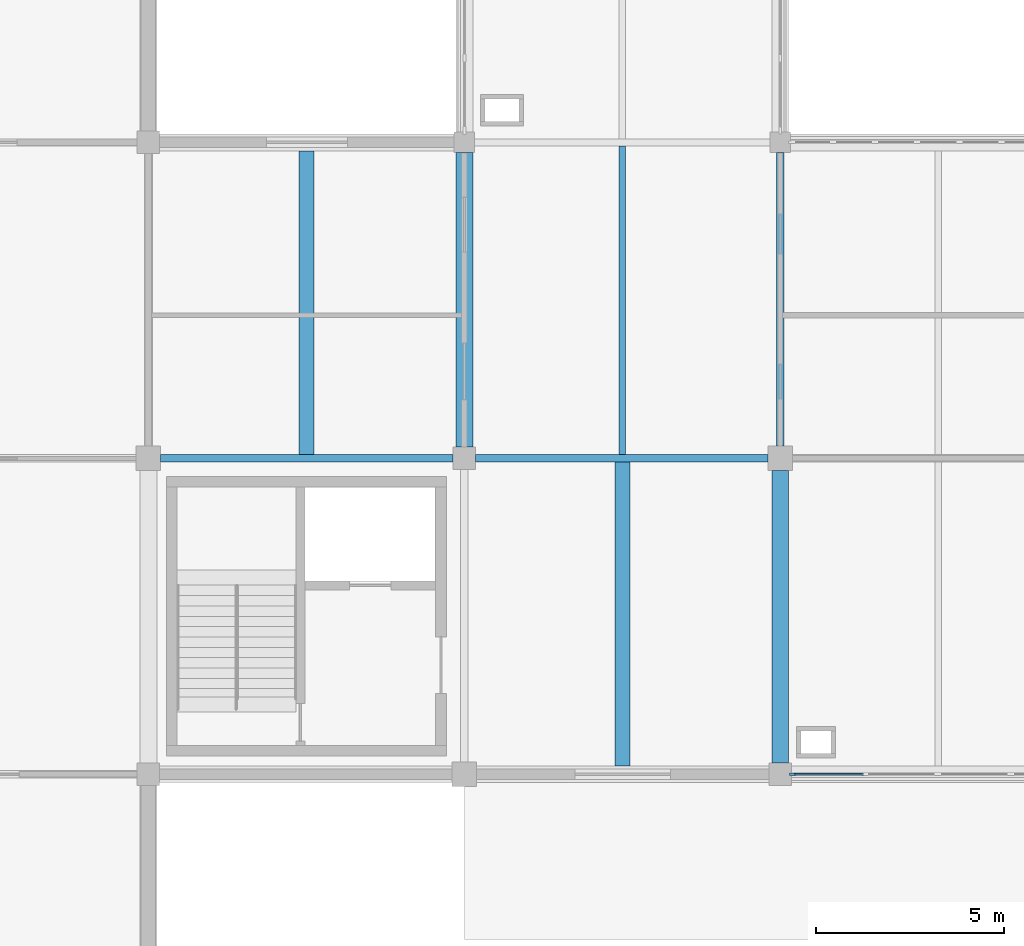
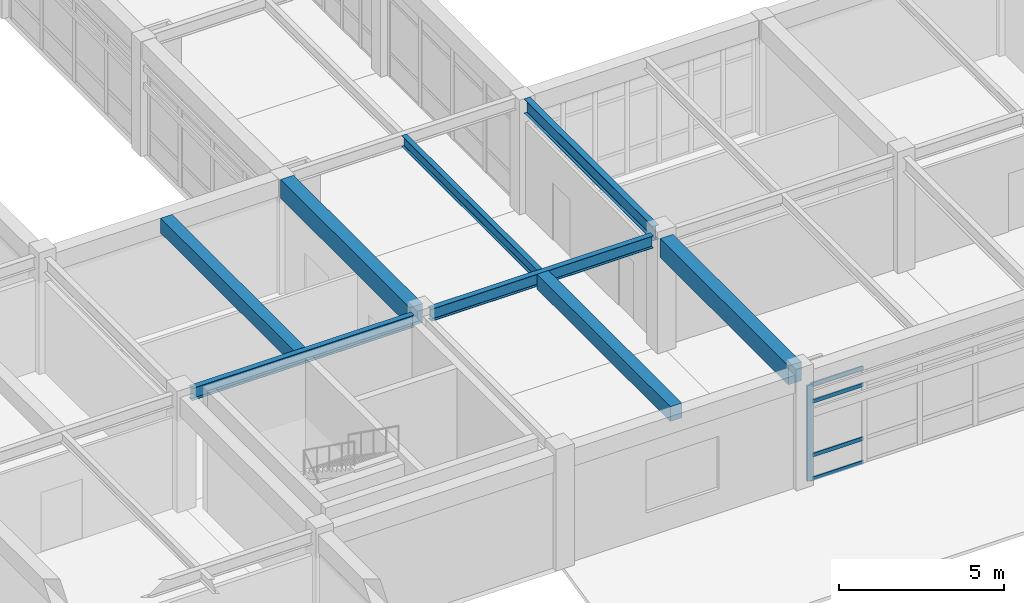
# One storey, part 9 of 78: 8 beams, 5 members, 1 element without a shape of its own.
"""IFC4 building model written with IfcOpenShell, lengths in metres."""

from ifc_helpers import new_model, si_unit, direction, frame, origin, origin_2d, place, context, subcontext, project, spatial, rectangle, i_section, extrude, material, layer, layer_set, material_profile, profile_set, type_object, element, aggregate, save


model = new_model("IFC4")

# Units and contexts
model_context = context("Model", 3, precision=1e-05, world=origin(), true_north=direction((0.0, 1.0)))
body_context = subcontext(model_context, "Body", "Model", "MODEL_VIEW")
ifc_project = project(units=[si_unit("LENGTHUNIT", "METRE"), si_unit("AREAUNIT", "SQUARE_METRE"), si_unit("VOLUMEUNIT", "CUBIC_METRE"), si_unit("PLANEANGLEUNIT", "RADIAN"), si_unit("MASSUNIT", "GRAM", prefix="KILO")], contexts=[model_context])

# Site, building, storey
site_placement = place(None, origin())
site = spatial("IfcSite", under=ifc_project, at=site_placement, CompositionType="ELEMENT")
building_placement = place(site_placement, origin())
building = spatial("IfcBuilding", under=site, at=building_placement, Name="Porcellanite Civic Hall", CompositionType="ELEMENT")
storey_placement = place(building_placement, frame((0.0, 0.0, 10.260009765625)))
storey = spatial("IfcBuildingStorey", under=building, at=storey_placement, Name="L02", CompositionType="ELEMENT", Elevation=10.260009765625)

# Beams
ifc_material_1 = material(Name="Concrete N50 (50 MPa)", Category="concrete")
ifc_material_profile_1 = material_profile(ifc_material_1, rectangle(XDim=0.39990234375, YDim=0.550048828125, at=origin_2d()), Name="RC-400x550")
ifc_profile_set_1 = profile_set([ifc_material_profile_1], Name="Concrete N50 (50 MPa)")
beam_type_1 = type_object("IfcBeamType", Name="BM-RC550", PredefinedType="JOIST", material=ifc_profile_set_1)
for number, where, z_axis, x_axis, name in (
    (1, (113.39990234375, 58.89453125, 3.965087890625), (0.0, 1.0, 0.0), (-1.0, 0.0, 0.0), "Secondary joist L02 14-8"),
    (2, (121.800048828125, 50.62451171875, 3.965087890625), (0.0, 1.0, 0.0), (-1.0, 0.0, 0.0), "Secondary joist L02 15-7"),
):
    element("IfcBeam", number, at=place(storey_placement, frame(where, z_axis=z_axis, x_axis=x_axis)), inside=storey, type_object=beam_type_1, Name=name, PredefinedType="JOIST", context=body_context, shape_type="SweptSolid", body=[
        extrude(rectangle(XDim=0.39990234375, YDim=0.550048828125, at=origin_2d()), origin(), (0.0, 0.0, 1.0), 8.0810546875),
    ])
ifc_material_2 = material(Name="Concrete N50 (50 MPa)", Category="concrete")
ifc_material_profile_2 = material_profile(ifc_material_2, rectangle(XDim=0.449951171875, YDim=0.699951171875, at=origin_2d()), Name="RC-450x700")
ifc_profile_set_2 = profile_set([ifc_material_profile_2], Name="Concrete N50 (50 MPa)")
beam_type_2 = type_object("IfcBeamType", Name="BM-RC700", PredefinedType="BEAM", material=ifc_profile_set_2)
beam_1_placement = place(storey_placement, frame((117.60009765625, 59.099609375, 3.889892578125), z_axis=(0.0, 1.0, 0.0), x_axis=(-1.0, 0.0, 0.0)))
element("IfcBeam", 3, at=beam_1_placement, inside=storey, type_object=beam_type_2, Name="Beam Y L02 15-8", PredefinedType="BEAM", context=body_context, shape_type="SweptSolid", body=[
    extrude(rectangle(XDim=0.449951171875, YDim=0.699951171875, at=origin_2d()), origin(), (0.0, 0.0, 1.0), 7.825927734375),
])
beam_2_placement = place(storey_placement, frame((126.0, 50.699462890625, 3.889892578125), z_axis=(0.0, 1.0, 0.0), x_axis=(-1.0, 0.0, 0.0)))
element("IfcBeam", 4, at=beam_2_placement, inside=storey, type_object=beam_type_2, Name="Beam Y L02 16-7", PredefinedType="BEAM", context=body_context, shape_type="SweptSolid", body=[
    extrude(rectangle(XDim=0.449951171875, YDim=0.699951171875, at=origin_2d()), origin(), (0.0, 0.0, 1.0), 7.776123046875),
])

# Curtain wall, members
ifc_material_3 = material(Name="Anodised aluminium and solar laminated glass", Category="aluminium")
ifc_layer = layer(ifc_material_3, 0.179931640625)
ifc_layer_set = layer_set([ifc_layer], Name="Anodised aluminium and solar laminated glass")
curtain_wall_type = type_object("IfcCurtainWallType", Name="CW-SYS06", PredefinedType="NOTDEFINED", material=ifc_layer_set)
curtain_wall_placement = place(storey_placement, origin())
curtain_wall = element("IfcCurtainWall", 5, at=curtain_wall_placement, inside=storey, type_object=curtain_wall_type, Name="Curtain wall CW-170", PredefinedType="NOTDEFINED")
ifc_material_4 = material(Name="Anodised aluminium 6063-T6", Category="aluminium")
ifc_material_profile_3 = material_profile(ifc_material_4, rectangle(XDim=0.06494140625, YDim=0.179931640625, at=origin_2d()), Name="AL-65x180")
ifc_profile_set_3 = profile_set([ifc_material_profile_3], Name="Anodised aluminium 6063-T6")
member_type_1 = type_object("IfcMemberType", Name="CWM-06", PredefinedType="MULLION", material=ifc_profile_set_3)
member_1_placement = place(storey_placement, frame((126.33349609375, 50.39990234375, 0.0), z_axis=(0.0, 0.0, 1.0), x_axis=(0.0, -1.0, 0.0)))
member_1 = element("IfcMember", 6, at=member_1_placement, type_object=member_type_1, Name="CW-170 mullion 5", PredefinedType="MULLION", context=body_context, shape_type="SweptSolid", body=[
    extrude(rectangle(XDim=0.06494140625, YDim=0.179931640625, at=origin_2d()), origin(), (0.0, 0.0, 1.0), 3.5400390625),
])
ifc_material_5 = material(Name="Anodised aluminium 6063-T6", Category="aluminium")
ifc_material_profile_4 = material_profile(ifc_material_5, rectangle(XDim=0.050048828125, YDim=0.139892578125, at=origin_2d()), Name="AL-50x140")
ifc_profile_set_4 = profile_set([ifc_material_profile_4], Name="Anodised aluminium 6063-T6")
member_type_2 = type_object("IfcMemberType", Name="CWT-06", PredefinedType="USERDEFINED", material=ifc_profile_set_4)
member_2_placement = place(storey_placement, frame((128.211669921875, 50.39990234375, 0.02490234375), z_axis=(-1.0, 0.0, 0.0), x_axis=(0.0, -1.0, 0.0)))
member_2 = element("IfcMember", 7, at=member_2_placement, type_object=member_type_2, Name="CW-170 transom 4.1", ObjectType="TRANSOM", PredefinedType="USERDEFINED", context=body_context, shape_type="SweptSolid", body=[
    extrude(rectangle(XDim=0.050048828125, YDim=0.139892578125, at=origin_2d()), origin(), (0.0, 0.0, 1.0), 1.845703125),
])
member_3_placement = place(storey_placement, frame((128.211669921875, 50.39990234375, 0.89990234375), z_axis=(-1.0, 0.0, 0.0), x_axis=(0.0, -1.0, 0.0)))
member_3 = element("IfcMember", 8, at=member_3_placement, type_object=member_type_2, Name="CW-170 transom 4.2", ObjectType="TRANSOM", PredefinedType="USERDEFINED", context=body_context, shape_type="SweptSolid", body=[
    extrude(rectangle(XDim=0.050048828125, YDim=0.139892578125, at=origin_2d()), origin(), (0.0, 0.0, 1.0), 1.845703125),
])
member_4_placement = place(storey_placement, frame((128.211669921875, 50.39990234375, 2.889892578125), z_axis=(-1.0, 0.0, 0.0), x_axis=(0.0, -1.0, 0.0)))
member_4 = element("IfcMember", 9, at=member_4_placement, type_object=member_type_2, Name="CW-170 transom 4.3", ObjectType="TRANSOM", PredefinedType="USERDEFINED", context=body_context, shape_type="SweptSolid", body=[
    extrude(rectangle(XDim=0.050048828125, YDim=0.139892578125, at=origin_2d()), origin(), (0.0, 0.0, 1.0), 1.845703125),
])
member_5_placement = place(storey_placement, frame((128.211669921875, 50.39990234375, 3.514892578125), z_axis=(-1.0, 0.0, 0.0), x_axis=(0.0, -1.0, 0.0)))
member_5 = element("IfcMember", 10, at=member_5_placement, type_object=member_type_2, Name="CW-170 transom 4.4", ObjectType="TRANSOM", PredefinedType="USERDEFINED", context=body_context, shape_type="SweptSolid", body=[
    extrude(rectangle(XDim=0.050048828125, YDim=0.139892578125, at=origin_2d()), origin(), (0.0, 0.0, 1.0), 1.845703125),
])
aggregate(curtain_wall, [member_1, member_2, member_3, member_4, member_5])

# Beams
ifc_material_6 = material(Name="Steel Grade 350", Category="steel")
ifc_material_profile_5 = material_profile(ifc_material_6, i_section(OverallWidth=0.177978515625, OverallDepth=0.406005859375, WebThickness=0.0078125, FlangeThickness=0.0126953125, FilletRadius=0.011474609375, at=origin_2d()), Name="410UB59.7")
ifc_profile_set_5 = profile_set([ifc_material_profile_5], Name="Steel Grade 350")
beam_type_3 = type_object("IfcBeamType", Name="JST-410UB60", PredefinedType="JOIST", material=ifc_profile_set_5)
beam_3_placement = place(storey_placement, frame((121.800048828125, 58.89453125, 4.037109375), z_axis=(0.0, 1.0, 0.0), x_axis=(-1.0, 0.0, 0.0)))
element("IfcBeam", 11, at=beam_3_placement, inside=storey, type_object=beam_type_3, Name="Secondary joist L02 15-8", PredefinedType="JOIST", context=body_context, shape_type="SweptSolid", body=[
    extrude(i_section(OverallWidth=0.177978515625, OverallDepth=0.406005859375, WebThickness=0.0078125, FlangeThickness=0.0126953125, FilletRadius=0.011474609375, at=origin_2d()), origin(), (0.0, 0.0, 1.0), 8.2109375),
])
ifc_material_7 = material(Name="Steel Grade 350", Category="steel")
ifc_material_profile_6 = material_profile(ifc_material_7, i_section(OverallWidth=0.18994140625, OverallDepth=0.4541015625, WebThickness=0.008544921875, FlangeThickness=0.0126953125, FilletRadius=0.011474609375, at=origin_2d()), Name="460UB67.1")
ifc_profile_set_6 = profile_set([ifc_material_profile_6], Name="Steel Grade 350")
beam_type_4 = type_object("IfcBeamType", Name="RAF-460UB67", PredefinedType="BEAM", material=ifc_profile_set_6)
for number, where, z_axis, x_axis, name in (
    (12, (109.5244140625, 58.800048828125, 4.012939453125), (1.0, 0.0, 0.0), (0.0, 1.0, 0.0), "Beam X L02 14-8"),
    (13, (117.8994140625, 58.800048828125, 4.012939453125), (1.0, 0.0, 0.0), (0.0, 1.0, 0.0), "Beam X L02 15-8"),
):
    element("IfcBeam", number, at=place(storey_placement, frame(where, z_axis=z_axis, x_axis=x_axis)), inside=storey, type_object=beam_type_4, Name=name, PredefinedType="BEAM", context=body_context, shape_type="SweptSolid", body=[
        extrude(i_section(OverallWidth=0.18994140625, OverallDepth=0.4541015625, WebThickness=0.008544921875, FlangeThickness=0.0126953125, FilletRadius=0.011474609375, at=origin_2d()), origin(), (0.0, 0.0, 1.0), 7.776123046875),
    ])
ifc_material_8 = material(Name="Steel Grade 350", Category="steel")
ifc_material_profile_7 = material_profile(ifc_material_8, i_section(OverallWidth=0.208984375, OverallDepth=0.528076171875, WebThickness=0.009521484375, FlangeThickness=0.01318359375, FilletRadius=0.013916015625, at=origin_2d()), Name="530UB82.0")
ifc_profile_set_7 = profile_set([ifc_material_profile_7], Name="Steel Grade 350")
beam_type_5 = type_object("IfcBeamType", Name="RAF-530UB82", PredefinedType="BEAM", material=ifc_profile_set_7)
beam_4_placement = place(storey_placement, frame((126.0, 59.12451171875, 3.97607421875), z_axis=(0.0, 1.0, 0.0), x_axis=(-1.0, 0.0, 0.0)))
element("IfcBeam", 14, at=beam_4_placement, inside=storey, type_object=beam_type_5, Name="Beam Y L02 16-8", PredefinedType="BEAM", context=body_context, shape_type="SweptSolid", body=[
    extrude(i_section(OverallWidth=0.208984375, OverallDepth=0.528076171875, WebThickness=0.009521484375, FlangeThickness=0.01318359375, FilletRadius=0.013916015625, at=origin_2d()), origin(), (0.0, 0.0, 1.0), 7.801025390625),
])

save(model, "model.ifc")
